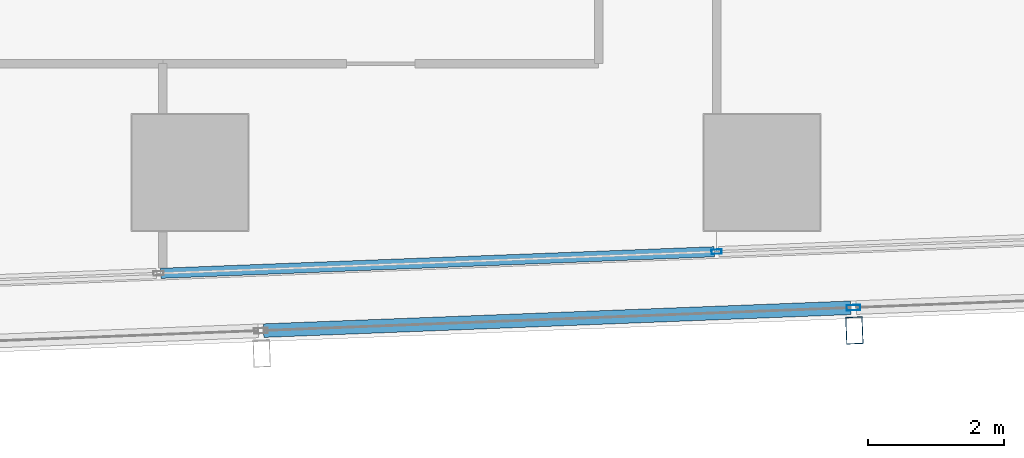
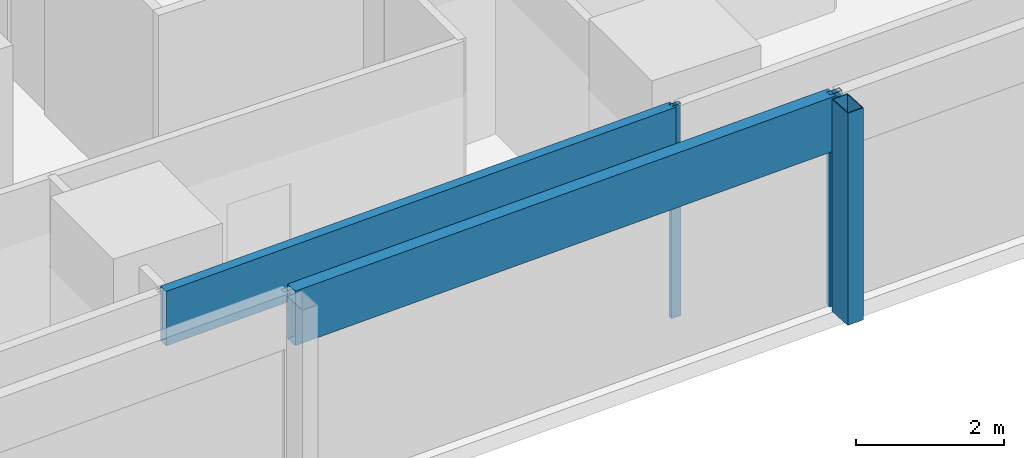
# One storey, part 8 of 38: 5 members, 2 elements without a shape of their own.
"""IFC4 building model written with IfcOpenShell, lengths in metres."""

from ifc_helpers import new_model, si_unit, direction, frame, origin, origin_2d, place, context, subcontext, project, spatial, hollow_rectangle, extrude, material, material_profile, profile_set, type_object, element, aggregate, save


model = new_model("IFC4")

# Units and contexts
model_context = context("Model", 3, precision=1e-05, world=origin(), true_north=direction((0.0, 1.0)))
body_context = subcontext(model_context, "Body", "Model", "MODEL_VIEW")
ifc_project = project(units=[si_unit("LENGTHUNIT", "METRE"), si_unit("AREAUNIT", "SQUARE_METRE"), si_unit("VOLUMEUNIT", "CUBIC_METRE"), si_unit("PLANEANGLEUNIT", "RADIAN"), si_unit("MASSUNIT", "GRAM", prefix="KILO")], contexts=[model_context])

# Site, building, storey
site_placement = place(None, origin())
site = spatial("IfcSite", under=ifc_project, at=site_placement, CompositionType="ELEMENT")
building_placement = place(site_placement, origin())
building = spatial("IfcBuilding", under=site, at=building_placement, Name="Rekha Terrace Tower", CompositionType="ELEMENT")
storey_placement = place(building_placement, frame((0.0, 0.0, 114.050048828125)))
storey = spatial("IfcBuildingStorey", under=building, at=storey_placement, Name="L28", CompositionType="ELEMENT", Elevation=114.050048828125)

# Curtain wall, member
ifc_material_1 = material(Name="Aluminium framing", Category="aluminium")
curtain_wall_type_1 = type_object("IfcCurtainWallType", Name="CW2 double skin outer glazing", PredefinedType="USERDEFINED", material=ifc_material_1)
curtain_wall_1_placement = place(storey_placement, origin())
curtain_wall_1 = element("IfcCurtainWall", 1, at=curtain_wall_1_placement, inside=storey, type_object=curtain_wall_type_1, Name="CW2 double skin outer glazing", ObjectType="DOUBLE SKIN OUTER GLAZING", PredefinedType="USERDEFINED")
ifc_material_2 = material(Name="Steel S355 with fluorocarbon finish", Category="steel")
ifc_material_profile_1 = material_profile(ifc_material_2, hollow_rectangle(XDim=0.25, YDim=0.39990234375, WallThickness=0.012451171875, at=origin_2d()), Name="RHS400x250x12.5")
ifc_profile_set_1 = profile_set([ifc_material_profile_1], Name="Steel S355 with fluorocarbon finish")
member_type_1 = type_object("IfcMemberType", Name="BL1 facade blade RHS 400 x 250", PredefinedType="USERDEFINED", material=ifc_profile_set_1)
member_1_placement = place(storey_placement, frame((60.1572265625, 14.480712890625, 0.0), z_axis=(0.0, 0.0, 1.0), x_axis=(0.999243494356, 0.038890088543, 0.0)))
member_1 = element("IfcMember", 2, at=member_1_placement, type_object=member_type_1, Name="Facade blade", ObjectType="FACADE BLADE", PredefinedType="USERDEFINED", context=body_context, shape_type="SweptSolid", body=[
    extrude(hollow_rectangle(XDim=0.25, YDim=0.39990234375, WallThickness=0.012451171875, at=origin_2d()), origin(), (0.0, 0.0, 1.0), 3.5),
])

# Curtain wall, members
curtain_wall_type_2 = type_object("IfcCurtainWallType", Name="CW1 double skin inner glazing", PredefinedType="USERDEFINED", material=ifc_material_1)
curtain_wall_2_placement = place(storey_placement, origin())
curtain_wall_2 = element("IfcCurtainWall", 3, at=curtain_wall_2_placement, inside=storey, type_object=curtain_wall_type_2, Name="CW1 double skin inner glazing", ObjectType="DOUBLE SKIN INNER GLAZING", PredefinedType="USERDEFINED")
ifc_material_3 = material(Name="Aluminium mullion section", Category="aluminium")
ifc_material_profile_2 = material_profile(ifc_material_3, hollow_rectangle(XDim=0.06494140625, YDim=0.14990234375, WallThickness=0.00390625, at=origin_2d()), Name="AL RHS 65x150")
ifc_profile_set_2 = profile_set([ifc_material_profile_2], Name="Aluminium mullion section")
member_type_2 = type_object("IfcMemberType", Name="CW1 mullion RHS 65 x 150", PredefinedType="MULLION", material=ifc_profile_set_2)
member_2_placement = place(storey_placement, frame((58.13330078125, 15.637939453125, 0.0), z_axis=(0.0, 0.0, 1.0), x_axis=(-0.038889971345, 0.999243498917, 0.0)))
member_2 = element("IfcMember", 4, at=member_2_placement, type_object=member_type_2, Name="CW1 mullion 5", PredefinedType="MULLION", context=body_context, shape_type="SweptSolid", body=[
    extrude(hollow_rectangle(XDim=0.06494140625, YDim=0.14990234375, WallThickness=0.00390625, at=origin_2d()), origin(), (0.0, 0.0, 1.0), 3.5),
])
ifc_material_4 = material(Name="Insulated aluminium spandrel box", Category="aluminium")
ifc_material_profile_3 = material_profile(ifc_material_4, hollow_rectangle(XDim=0.14990234375, YDim=0.89990234375, WallThickness=0.0029296875, at=origin_2d()), Name="AL SPANDREL BOX 150x900")
ifc_profile_set_3 = profile_set([ifc_material_profile_3], Name="Insulated aluminium spandrel box")
member_type_3 = type_object("IfcMemberType", Name="CW1 spandrel transom 150 x 900", PredefinedType="USERDEFINED", material=ifc_profile_set_3)
member_3_placement = place(storey_placement, frame((49.96923828125, 15.320068359375, 3.050048828125), z_axis=(0.999242669674, 0.038911272182, 0.0), x_axis=(-0.038911272182, 0.999242669674, 0.0)))
member_3 = element("IfcMember", 5, at=member_3_placement, type_object=member_type_3, Name="CW1 spandrel transom 4", ObjectType="TRANSOM", PredefinedType="USERDEFINED", context=body_context, shape_type="SweptSolid", body=[
    extrude(hollow_rectangle(XDim=0.14990234375, YDim=0.89990234375, WallThickness=0.0029296875, at=origin_2d()), origin(), (0.0, 0.0, 1.0), 8.1376953125),
])
aggregate(curtain_wall_2, [member_2, member_3])

# Member
ifc_material_profile_4 = material_profile(ifc_material_3, hollow_rectangle(XDim=0.080078125, YDim=0.199951171875, WallThickness=0.00390625, at=origin_2d()), Name="AL RHS 80x200")
ifc_profile_set_4 = profile_set([ifc_material_profile_4], Name="Aluminium mullion section")
member_type_4 = type_object("IfcMemberType", Name="CW2 mullion RHS 80 x 200", PredefinedType="MULLION", material=ifc_profile_set_4)
member_4_placement = place(storey_placement, frame((60.14404296875, 14.8154296875, 0.0), z_axis=(0.0, 0.0, 1.0), x_axis=(-0.038889971345, 0.999243498917, 0.0)))
member_4 = element("IfcMember", 6, at=member_4_placement, type_object=member_type_4, Name="CW2 mullion 5", PredefinedType="MULLION", context=body_context, shape_type="SweptSolid", body=[
    extrude(hollow_rectangle(XDim=0.080078125, YDim=0.199951171875, WallThickness=0.00390625, at=origin_2d()), origin(), (0.0, 0.0, 1.0), 3.5),
])

ifc_material_profile_5 = material_profile(ifc_material_4, hollow_rectangle(XDim=0.199951171875, YDim=0.89990234375, WallThickness=0.0029296875, at=origin_2d()), Name="AL SPANDREL BOX 200x900")
ifc_profile_set_5 = profile_set([ifc_material_profile_5], Name="Insulated aluminium spandrel box")
member_type_5 = type_object("IfcMemberType", Name="CW2 spandrel transom 200 x 900", PredefinedType="USERDEFINED", material=ifc_profile_set_5)
member_5_placement = place(storey_placement, frame((51.47900390625, 14.478271484375, 3.050048828125), z_axis=(0.999243481303, 0.038890423923, 0.0), x_axis=(-0.038890423923, 0.999243481303, 0.0)))
member_5 = element("IfcMember", 7, at=member_5_placement, type_object=member_type_5, Name="CW2 spandrel transom 4", ObjectType="TRANSOM", PredefinedType="USERDEFINED", context=body_context, shape_type="SweptSolid", body=[
    extrude(hollow_rectangle(XDim=0.199951171875, YDim=0.89990234375, WallThickness=0.0029296875, at=origin_2d()), origin(), (0.0, 0.0, 1.0), 8.6318359375),
])

aggregate(curtain_wall_1, [member_4, member_5, member_1])

save(model, "model.ifc")
